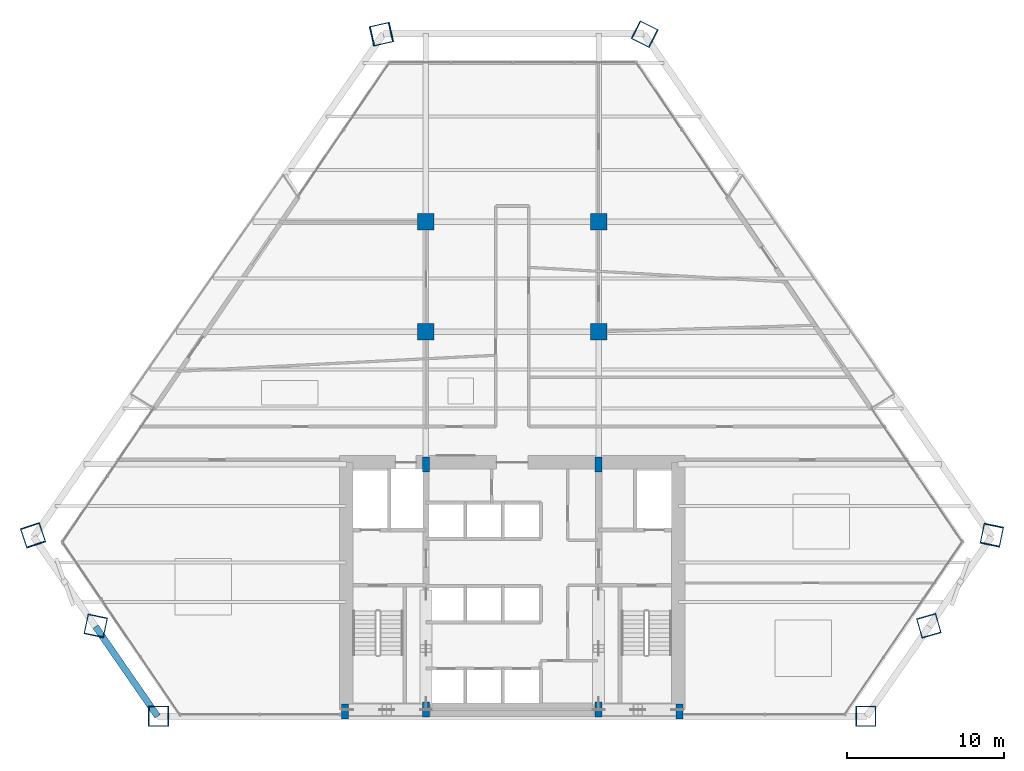
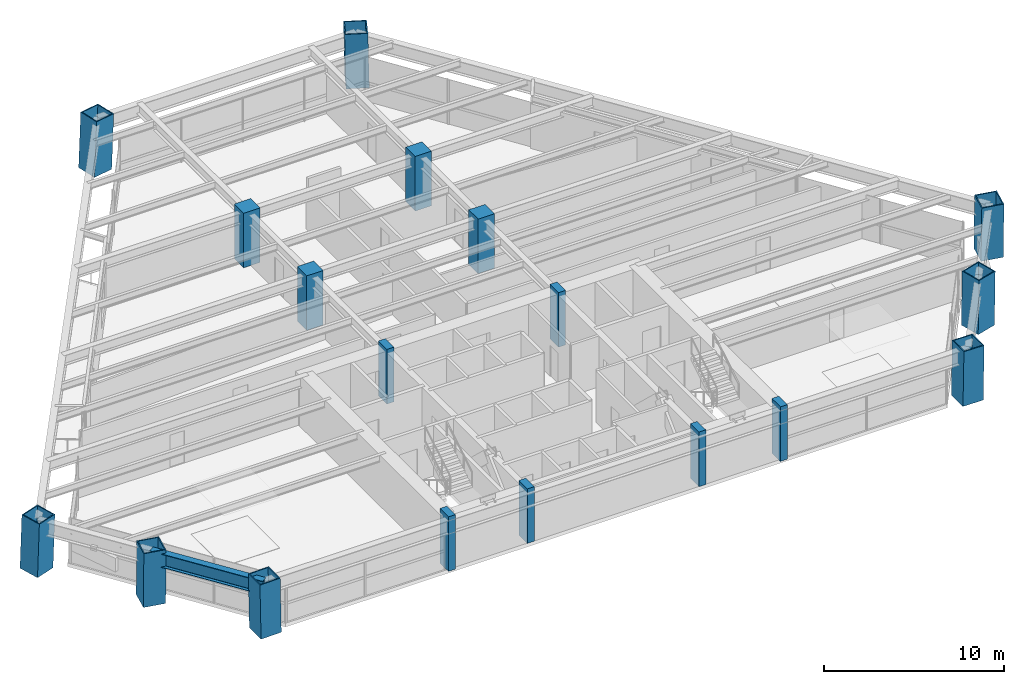
# One storey, part 1 of 14: 18 columns, 1 beam.
"""IFC4 building model written with IfcOpenShell, lengths in metres."""

import ifcopenshell
import ifcopenshell.guid

model = None  # the IFC model being written
_history = None  # IfcOwnerHistory: only IFC2X3 demands one
_inside = {}  # id of a spatial element -> (the spatial element, [elements in it])
_under = {}  # id of a project, library or spatial element -> (it, [spatial elements below it])
_declared = {}  # id of a project -> (the project, [libraries it declares])
_typed = {}  # id of a type object -> (the type object, [elements of that type])
_made_of = {}  # id of a material, layer set ... -> (it, [elements and type objects made of it])


def new_model(schema):
    """Start an empty IFC model of exactly this schema.

    Asked for "IFC4X3", IfcOpenShell would pick the latest addendum, in which some entities
    have other attributes; the version numbers below select the first issue.
    IFC2X3 requires an IfcOwnerHistory on every rooted entity: one is made here for all.
    """
    global model, _history
    if schema == "IFC4X3":
        model = ifcopenshell.file(schema_version=(4, 3, 0, 0))
    else:
        model = ifcopenshell.file(schema=schema)
    _inside.clear()
    _under.clear()
    _declared.clear()
    _typed.clear()
    _made_of.clear()
    _history = None
    if model.schema == "IFC2X3":
        org = make("IfcOrganization", Name="unknown")
        user = make(
            "IfcPersonAndOrganization",
            ThePerson=make("IfcPerson", FamilyName="unknown"),
            TheOrganization=org,
        )
        app = make(
            "IfcApplication",
            ApplicationDeveloper=org,
            Version="unknown",
            ApplicationFullName="unknown",
            ApplicationIdentifier="unknown",
        )
        _history = make(
            "IfcOwnerHistory",
            OwningUser=user,
            OwningApplication=app,
            ChangeAction="ADDED",
            CreationDate=0,
        )
    return model


def make(cls, **values):
    """One entity of the class cls with the attributes given. An attribute that is None is left unset."""
    return model.create_entity(
        cls, **{name: value for name, value in values.items() if value is not None}
    )


def rooted(cls, **values):
    """An entity with a GlobalId (a new one), such as an element, a storey or a relation."""
    return make(cls, GlobalId=ifcopenshell.guid.new(), OwnerHistory=_history, **values)


def si_unit(unit_type, name, prefix=None):
    """IfcSIUnit, for example si_unit("LENGTHUNIT", "METRE", prefix="MILLI")."""
    return make("IfcSIUnit", UnitType=unit_type, Prefix=prefix, Name=name)


def assignment(units):
    """IfcUnitAssignment: the units of a project."""
    return None if units is None else make("IfcUnitAssignment", Units=units)


def point(xyz):
    """IfcCartesianPoint."""
    return None if xyz is None else make("IfcCartesianPoint", Coordinates=xyz)


def direction(xyz):
    """IfcDirection."""
    return None if xyz is None else make("IfcDirection", DirectionRatios=xyz)


def frame(location, z_axis=None, x_axis=None):
    """IfcAxis2Placement3D, a coordinate frame: its origin and axes. An axis left out is left unset."""
    return make(
        "IfcAxis2Placement3D",
        Location=point(location),
        Axis=direction(z_axis),
        RefDirection=direction(x_axis),
    )


def frame_2d(location, x_axis=None):
    """IfcAxis2Placement2D, a coordinate frame in the plane: its origin and x axis."""
    return make(
        "IfcAxis2Placement2D", Location=point(location), RefDirection=direction(x_axis)
    )


def origin():
    """The frame at (0, 0, 0) with its axes left unset."""
    return frame((0.0, 0.0, 0.0))


def origin_2d():
    """The frame at (0, 0) in the plane with its x axis left unset."""
    return frame_2d((0.0, 0.0))


def place(relative_to, where):
    """IfcLocalPlacement: puts the frame where relative to a parent placement (None: the world)."""
    return make(
        "IfcLocalPlacement", PlacementRelTo=relative_to, RelativePlacement=where
    )


def context(
    kind, dimensions, precision=None, world=None, true_north=None, identifier=None
):
    """IfcGeometricRepresentationContext, for example the 3D "Model" context."""
    return make(
        "IfcGeometricRepresentationContext",
        ContextIdentifier=identifier,
        ContextType=kind,
        CoordinateSpaceDimension=dimensions,
        Precision=precision,
        WorldCoordinateSystem=world,
        TrueNorth=true_north,
    )


def subcontext(parent, identifier, kind, view, scale=None):
    """IfcGeometricRepresentationSubContext, for example "Body" below "Model"."""
    return make(
        "IfcGeometricRepresentationSubContext",
        ContextIdentifier=identifier,
        ContextType=kind,
        ParentContext=parent,
        TargetScale=scale,
        TargetView=view,
    )


def project(units=None, contexts=None):
    """IfcProject with its units and contexts."""
    return rooted(
        "IfcProject",
        Name="project",
        RepresentationContexts=contexts,
        UnitsInContext=assignment(units),
    )


def spatial(cls, under=None, at=None, **own):
    """A site, building, storey or space (cls), placed at a placement, below another one or the project."""
    s = rooted(cls, ObjectPlacement=at, **own)
    if under is not None:
        _under.setdefault(under.id(), (under, []))[1].append(s)
    return s


def profile(cls, at=None, kind="AREA", **sizes):
    """A parametric profile (cls). Its sizes go by their IFC names, for example OverallWidth=200.0."""
    return make(cls, ProfileType=kind, Position=at, **sizes)


def rectangle(**sizes):
    """IfcRectangleProfileDef."""
    return profile("IfcRectangleProfileDef", **sizes)


def hollow_rectangle(**sizes):
    """IfcRectangleHollowProfileDef."""
    return profile("IfcRectangleHollowProfileDef", **sizes)


def i_section(**sizes):
    """IfcIShapeProfileDef."""
    return profile("IfcIShapeProfileDef", **sizes)


def extrude(swept, where, along, depth):
    """IfcExtrudedAreaSolid: the profile swept, set in the frame where, extruded along a direction by depth."""
    return make(
        "IfcExtrudedAreaSolid",
        SweptArea=swept,
        Position=where,
        ExtrudedDirection=direction(along),
        Depth=depth,
    )


def shape(context_of_items, identifier, shape_type, items):
    """IfcShapeRepresentation: the items that make up one representation, for example the "Body"."""
    return make(
        "IfcShapeRepresentation",
        ContextOfItems=context_of_items,
        RepresentationIdentifier=identifier,
        RepresentationType=shape_type,
        Items=items,
    )


def source(mapping_origin, context_of_items, identifier, shape_type, items):
    """IfcRepresentationMap: a shape defined once, which mapped items show again and again."""
    return make(
        "IfcRepresentationMap",
        MappingOrigin=mapping_origin,
        MappedRepresentation=shape(context_of_items, identifier, shape_type, items),
    )


def transform(
    local_origin,
    x_axis=None,
    y_axis=None,
    z_axis=None,
    scale=None,
    scale2=None,
    scale3=None,
    uniform=True,
):
    """IfcCartesianTransformationOperator3D, or its non-uniform kind. x_axis, y_axis, z_axis: its Axis1, 2, 3."""
    if uniform:
        return make(
            "IfcCartesianTransformationOperator3D",
            Axis1=direction(x_axis),
            Axis2=direction(y_axis),
            LocalOrigin=point(local_origin),
            Scale=scale,
            Axis3=direction(z_axis),
        )
    return make(
        "IfcCartesianTransformationOperator3DnonUniform",
        Axis1=direction(x_axis),
        Axis2=direction(y_axis),
        LocalOrigin=point(local_origin),
        Scale=scale,
        Axis3=direction(z_axis),
        Scale2=scale2,
        Scale3=scale3,
    )


def mapped(mapping_source, mapping_target):
    """IfcMappedItem: shows the shape of a source again, moved by a transform."""
    return make(
        "IfcMappedItem", MappingSource=mapping_source, MappingTarget=mapping_target
    )


def material(Name=None, Category=None):
    """IfcMaterial."""
    return make("IfcMaterial", Name=Name, Category=Category)


def material_profile(
    of_material, cross_section, Name=None, Category=None, Priority=None
):
    """IfcMaterialProfile: a cross section and its material."""
    return make(
        "IfcMaterialProfile",
        Name=Name,
        Material=of_material,
        Profile=cross_section,
        Priority=Priority,
        Category=Category,
    )


def profile_set(profiles, Name=None, composite=None):
    """IfcMaterialProfileSet."""
    return make(
        "IfcMaterialProfileSet",
        Name=Name,
        MaterialProfiles=profiles,
        CompositeProfile=composite,
    )


def made_of(thing, what):
    """Note that an element or type object is made of a material, layer set ...; save() writes the relation."""
    if what is not None:
        _made_of.setdefault(what.id(), (what, []))[1].append(thing)
    return thing


def type_object(cls, material=None, **own):
    """A type object (cls), such as IfcWallType, which elements share."""
    return made_of(rooted(cls, **own), material)


def type_shapes(of_type, sources):
    """Give a type object the sources (RepresentationMaps) that its elements show as mapped items."""
    of_type.RepresentationMaps = sources


def element(
    cls,
    number,
    at=None,
    inside=None,
    cuts=None,
    type_object=None,
    material=None,
    context=None,
    identifier="Body",
    shape_type=None,
    held_by="IfcProductDefinitionShape",
    body=None,
    shapes=None,
    **own,
):
    """One element of the class cls, such as IfcWall. Its Tag is "e" and its number.

    at: its placement. inside: the storey or other place that contains it. cuts: it is an
    opening in that element (IfcRelVoidsElement). A single representation is given by context,
    identifier, shape_type and body (its items); several are given by shapes. held_by: the class
    of the entity that holds the representations. save() writes the other relations.
    """
    e = rooted(cls, Tag="e%d" % number, ObjectPlacement=at, **own)
    if body is not None:
        shapes = [shape(context, identifier, shape_type, body)]
    if shapes is not None:
        e.Representation = make(held_by, Representations=shapes)
    if inside is not None:
        _inside.setdefault(inside.id(), (inside, []))[1].append(e)
    if cuts is not None:
        rooted(
            "IfcRelVoidsElement", RelatingBuildingElement=cuts, RelatedOpeningElement=e
        )
    if type_object is not None:
        _typed.setdefault(type_object.id(), (type_object, []))[1].append(e)
    return made_of(e, material)


def aggregate(whole, parts):
    """IfcRelAggregates: a whole, such as a stair, and the parts it consists of."""
    return rooted("IfcRelAggregates", RelatingObject=whole, RelatedObjects=parts)


def save(model, path):
    """Write the relations noted so far, then the file.

    IfcRelAggregates (storeys below a building ...), IfcRelContainedInSpatialStructure (elements
    in a storey), IfcRelDefinesByType, IfcRelAssociatesMaterial and IfcRelDeclares: one each for
    every whole, place, type object, material and project.
    """
    for whole, parts in _under.values():
        aggregate(whole, parts)
    for where, things in _inside.values():
        rooted(
            "IfcRelContainedInSpatialStructure",
            RelatedElements=things,
            RelatingStructure=where,
        )
    for kind, things in _typed.values():
        rooted("IfcRelDefinesByType", RelatedObjects=things, RelatingType=kind)
    for what, things in _made_of.values():
        rooted("IfcRelAssociatesMaterial", RelatedObjects=things, RelatingMaterial=what)
    for by, libraries in _declared.values():
        rooted("IfcRelDeclares", RelatingContext=by, RelatedDefinitions=libraries)
    model.write(path)


model = new_model("IFC4")

# Units and contexts
model_context = context("Model", 3, precision=1e-05, world=origin(), true_north=direction((0.0, 1.0)))
body_context = subcontext(model_context, "Body", "Model", "MODEL_VIEW")
ifc_project = project(units=[si_unit("LENGTHUNIT", "METRE"), si_unit("AREAUNIT", "SQUARE_METRE"), si_unit("VOLUMEUNIT", "CUBIC_METRE"), si_unit("PLANEANGLEUNIT", "RADIAN"), si_unit("MASSUNIT", "GRAM", prefix="KILO")], contexts=[model_context])

# Site, building, storey
site_placement = place(None, origin())
site = spatial("IfcSite", under=ifc_project, at=site_placement, CompositionType="ELEMENT")
building_placement = place(site_placement, origin())
building = spatial("IfcBuilding", under=site, at=building_placement, Name="Varnakhor Terracotta Tower", CompositionType="ELEMENT")
storey_placement = place(building_placement, frame((0.0, 0.0, 31.199951171875)))
storey = spatial("IfcBuildingStorey", under=building, at=storey_placement, Name="L06", CompositionType="ELEMENT", Elevation=31.199951171875)

# Columns
ifc_material_1 = material(Name="Concrete C50/60", Category="concrete")
ifc_material_profile_1 = material_profile(ifc_material_1, rectangle(XDim=0.449951171875, YDim=0.949951171875, at=origin_2d()), Name="RC PILASTER 950x450")
ifc_profile_set_1 = profile_set([ifc_material_profile_1], Name="Concrete C50/60")
column_type_1 = type_object("IfcColumnType", Name="COL-PIL-950x450", PredefinedType="PILASTER", material=ifc_profile_set_1)
shared_shape_1 = source(origin(), body_context, "Body", "SweptSolid", [
    extrude(rectangle(XDim=0.449951171875, YDim=0.949951171875, at=origin_2d()), origin(), (0.0, 0.0, 1.0), 3.699951171875),
])
for number, where, z_axis, x_axis, name in (
    (1, (-10.64990234375, 0.300048828125, 0.0), (0.0, 0.0, 1.0), (1.0, 0.0, 0.0), "L06 Core Pilaster CP1"),
    (2, (-5.5, 0.449951171875, 0.0), (0.0, 0.0, 1.0), (1.0, 0.0, 0.0), "L06 Core Pilaster CP2"),
    (3, (5.5, 0.449951171875, 0.0), (0.0, 0.0, 1.0), (1.0, 0.0, 0.0), "L06 Core Pilaster CP3"),
    (4, (10.64990234375, 0.300048828125, 0.0), (0.0, 0.0, 1.0), (1.0, 0.0, 0.0), "L06 Core Pilaster CP4"),
    (5, (-5.5, 16.050048828125, 0.0), (0.0, 0.0, 1.0), (1.0, 0.0, 0.0), "L06 Core Pilaster CP5"),
    (6, (5.5, 16.050048828125, 0.0), (0.0, 0.0, 1.0), (1.0, 0.0, 0.0), "L06 Core Pilaster CP6"),
):
    element("IfcColumn", number, at=place(storey_placement, frame(where, z_axis=z_axis, x_axis=x_axis)), inside=storey, type_object=column_type_1, Name=name, PredefinedType="PILASTER", context=body_context, shape_type="MappedRepresentation", body=[
        mapped(shared_shape_1, transform((0.0, 0.0, 0.0), scale=1.0)),
    ])
ifc_material_2 = material(Name="Steel S460", Category="steel")
ifc_material_profile_2 = material_profile(ifc_material_2, hollow_rectangle(XDim=1.300048828125, YDim=1.300048828125, WallThickness=0.06494140625, at=origin_2d()), Name="BOX 1300x1300x65")
ifc_profile_set_2 = profile_set([ifc_material_profile_2], Name="Steel S460")
column_type_2 = type_object("IfcColumnType", Name="COL-MEGA-1300", PredefinedType="COLUMN", material=ifc_profile_set_2)
shared_shape_2 = source(origin(), body_context, "Body", "SweptSolid", [
    extrude(hollow_rectangle(XDim=1.300048828125, YDim=1.300048828125, WallThickness=0.06494140625, at=origin_2d()), origin(), (0.0, 0.0, 1.0), 3.69189453125),
])
type_shapes(column_type_2, [shared_shape_2])
for number, where, z_axis, x_axis, name in (
    (7, (-22.518798828125, 0.0, 0.00439453125), (-0.01944205501, 0.0, 0.999810985385), (0.0, -1.0, 0.0), "L06 Perimeter Mega-Column M1"),
    (8, (8.443603515625, 43.44287109375, 0.00439453125), (-0.018912353896, 0.00952230406, 0.999775799165), (-0.449710241045, -0.893174506521, 0.0), "L06 Perimeter Mega-Column M5"),
    (9, (-26.524169921875, 5.777099609375, 0.00439453125), (-0.0037694628, -0.017855350105, 0.999833474946), (0.978434284204, -0.206558348887, 0.0), "L06 Perimeter Mega-Column M8"),
):
    element("IfcColumn", number, at=place(storey_placement, frame(where, z_axis=z_axis, x_axis=x_axis)), inside=storey, type_object=column_type_2, Name=name, PredefinedType="COLUMN", context=body_context, shape_type="MappedRepresentation", body=[
        mapped(shared_shape_2, transform((0.0, 0.0, 0.0), scale=1.0)),
    ])
shared_shape_3 = source(origin(), body_context, "Body", "SweptSolid", [
    extrude(hollow_rectangle(XDim=1.300048828125, YDim=1.300048828125, WallThickness=0.06494140625, at=origin_2d()), origin(), (0.0, 0.0, 1.0), 3.691650390625),
])
for number, where, z_axis, x_axis, name in (
    (10, (22.509033203125, 0.0, 0.00439453125), (0.016731568518, 0.0, 0.99986001751), (0.0, 1.0, 0.0), "L06 Perimeter Mega-Column M2"),
    (11, (26.5283203125, 5.780517578125, 0.00439453125), (0.004827618795, -0.016863599901, 0.999846144712), (0.961381549888, 0.275219031929, 0.0), "L06 Perimeter Mega-Column M3"),
):
    element("IfcColumn", number, at=place(storey_placement, frame(where, z_axis=z_axis, x_axis=x_axis)), inside=storey, type_object=column_type_2, Name=name, PredefinedType="COLUMN", context=body_context, shape_type="MappedRepresentation", body=[
        mapped(shared_shape_3, transform((0.0, 0.0, 0.0), scale=1.0)),
    ])
shared_shape_4 = source(origin(), body_context, "Body", "SweptSolid", [
    extrude(hollow_rectangle(XDim=1.300048828125, YDim=1.300048828125, WallThickness=0.06494140625, at=origin_2d()), origin(), (0.0, 0.0, 1.0), 3.693359375),
])
column_1_placement = place(storey_placement, frame((30.547607421875, 11.561279296875, 0.00439453125), z_axis=(-0.007072971899, -0.033778398506, 0.999404319014), x_axis=(0.978772757636, -0.204948503067, 0.0)))
element("IfcColumn", 12, at=column_1_placement, inside=storey, type_object=column_type_2, Name="L06 Perimeter Mega-Column M4", PredefinedType="COLUMN", context=body_context, shape_type="MappedRepresentation", body=[
    mapped(shared_shape_4, transform((0.0, 0.0, 0.0), scale=1.0)),
])
shared_shape_5 = source(origin(), body_context, "Body", "SweptSolid", [
    extrude(hollow_rectangle(XDim=1.300048828125, YDim=1.300048828125, WallThickness=0.06494140625, at=origin_2d()), origin(), (0.0, 0.0, 1.0), 3.694580078125),
])
column_2_placement = place(storey_placement, frame((-8.357177734375, 43.44287109375, 0.00439453125), z_axis=(0.04222508996, 0.00951551323, 0.99906280923), x_axis=(-0.219839129747, 0.97553613825, 0.0)))
element("IfcColumn", 13, at=column_2_placement, inside=storey, type_object=column_type_2, Name="L06 Perimeter Mega-Column M6", PredefinedType="COLUMN", context=body_context, shape_type="MappedRepresentation", body=[
    mapped(shared_shape_5, transform((0.0, 0.0, 0.0), scale=1.0)),
])
shared_shape_6 = source(origin(), body_context, "Body", "SweptSolid", [
    extrude(hollow_rectangle(XDim=1.300048828125, YDim=1.300048828125, WallThickness=0.06494140625, at=origin_2d()), origin(), (0.0, 0.0, 1.0), 3.69384765625),
])
column_3_placement = place(storey_placement, frame((-30.529541015625, 11.55419921875, 0.00439453125), z_axis=(0.01189712068, -0.03569136204, 0.999292041995), x_axis=(0.948683298051, 0.316227766017, 0.0)))
element("IfcColumn", 14, at=column_3_placement, inside=storey, type_object=column_type_2, Name="L06 Perimeter Mega-Column M7", PredefinedType="COLUMN", context=body_context, shape_type="MappedRepresentation", body=[
    mapped(shared_shape_6, transform((0.0, 0.0, 0.0), scale=1.0)),
])
ifc_material_3 = material(Name="Concrete C60/75", Category="concrete")
ifc_material_profile_3 = material_profile(ifc_material_3, rectangle(XDim=1.050048828125, YDim=1.050048828125, at=origin_2d()), Name="RC 1050x1050")
ifc_profile_set_3 = profile_set([ifc_material_profile_3], Name="Concrete C60/75")
column_type_3 = type_object("IfcColumnType", Name="COL-RC-1050", PredefinedType="COLUMN", material=ifc_profile_set_3)
shared_shape_7 = source(origin(), body_context, "Body", "SweptSolid", [
    extrude(rectangle(XDim=1.050048828125, YDim=1.050048828125, at=origin_2d()), origin(), (0.0, 0.0, 1.0), 3.699951171875),
])
for number, where, z_axis, x_axis, name in (
    (15, (-5.5, 24.5, 0.0), (0.0, 0.0, 1.0), (1.0, 0.0, 0.0), "L06 Interior Tower Column IC1"),
    (16, (5.5, 24.5, 0.0), (0.0, 0.0, 1.0), (1.0, 0.0, 0.0), "L06 Interior Tower Column IC2"),
    (17, (-5.5, 31.5, 0.0), (0.0, 0.0, 1.0), (1.0, 0.0, 0.0), "L06 Interior Tower Column IC3"),
    (18, (5.5, 31.5, 0.0), (0.0, 0.0, 1.0), (1.0, 0.0, 0.0), "L06 Interior Tower Column IC4"),
):
    element("IfcColumn", number, at=place(storey_placement, frame(where, z_axis=z_axis, x_axis=x_axis)), inside=storey, type_object=column_type_3, Name=name, PredefinedType="COLUMN", context=body_context, shape_type="MappedRepresentation", body=[
        mapped(shared_shape_7, transform((0.0, 0.0, 0.0), scale=1.0)),
    ])

# Beam
ifc_material_4 = material(Name="Steel S355", Category="steel")
ifc_material_profile_4 = material_profile(ifc_material_4, i_section(OverallWidth=0.41796875, OverallDepth=0.927001953125, WebThickness=0.01904296875, FlangeThickness=0.031982421875, FilletRadius=0.01806640625, at=origin_2d()), Name="W36X231")
ifc_profile_set_4 = profile_set([ifc_material_profile_4], Name="Steel S355")
beam_type = type_object("IfcBeamType", Name="BM-W36X231", PredefinedType="BEAM", material=ifc_profile_set_4)
shared_shape_8 = source(origin(), body_context, "Body", "SweptSolid", [
    extrude(i_section(OverallWidth=0.41796875, OverallDepth=0.927001953125, WebThickness=0.01904296875, FlangeThickness=0.031982421875, FilletRadius=0.01806640625, at=origin_2d()), origin(), (0.0, 0.0, 1.0), 6.942626953125),
])
beam_placement = place(storey_placement, frame((-26.5380859375, 5.711181640625, 2.986572265625), z_axis=(0.568588093197, -0.82262238012, 0.0), x_axis=(0.82262238012, 0.568588093197, 0.0)))
element("IfcBeam", 19, at=beam_placement, inside=storey, type_object=beam_type, Name="L06 Perimeter Spandrel 8", PredefinedType="BEAM", context=body_context, shape_type="MappedRepresentation", body=[
    mapped(shared_shape_8, transform((0.0, 0.0, 0.0), scale=1.0)),
])

save(model, "model.ifc")
